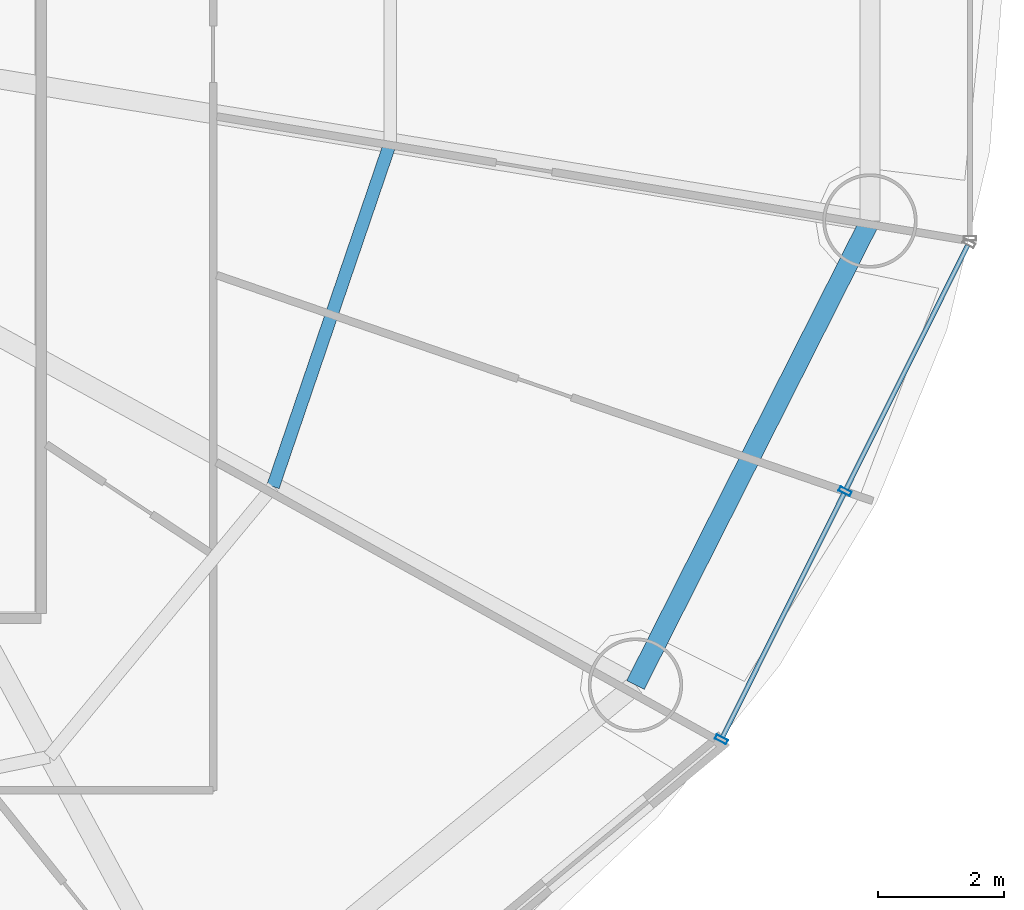
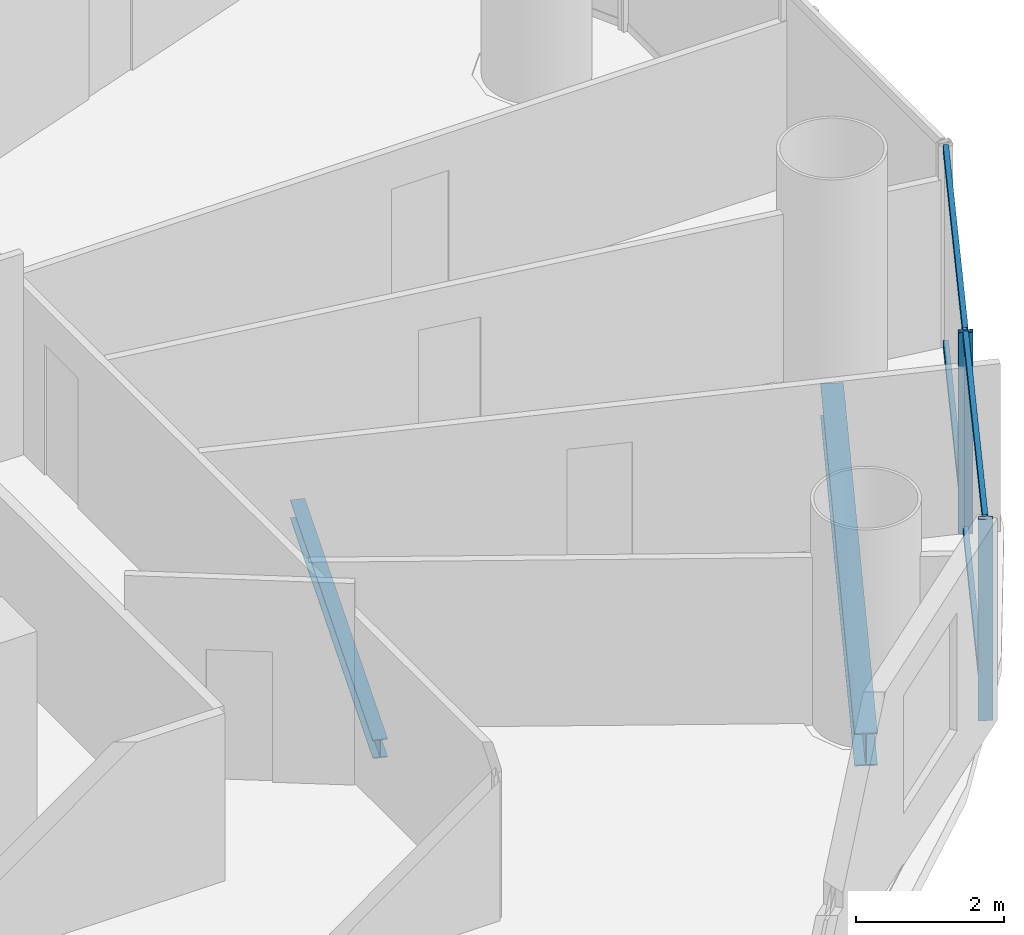
# One storey, part 13 of 29: 6 members, 2 beams, 1 element without a shape of its own.
"""IFC4 building model written with IfcOpenShell, lengths in metres."""

from ifc_helpers import new_model, si_unit, direction, frame, origin, origin_2d, place, context, subcontext, project, spatial, hollow_rectangle, i_section, extrude, source, transform, mapped, material, material_profile, profile_set, type_object, element, aggregate, save


model = new_model("IFC4")

# Units and contexts
model_context = context("Model", 3, precision=1e-05, world=origin(), true_north=direction((-0.2419218956, 0.970295726276)))
body_context = subcontext(model_context, "Body", "Model", "MODEL_VIEW")
ifc_project = project(units=[si_unit("LENGTHUNIT", "METRE"), si_unit("AREAUNIT", "SQUARE_METRE"), si_unit("VOLUMEUNIT", "CUBIC_METRE"), si_unit("PLANEANGLEUNIT", "RADIAN"), si_unit("MASSUNIT", "GRAM", prefix="KILO")], contexts=[model_context])

# Site, building, storey
site_placement = place(None, origin())
site = spatial("IfcSite", under=ifc_project, at=site_placement, CompositionType="ELEMENT")
building_placement = place(site_placement, origin())
building = spatial("IfcBuilding", under=site, at=building_placement, Name="Cobrevalo Terracotta Tower", CompositionType="ELEMENT")
storey_placement = place(building_placement, frame((0.0, 0.0, 112.199951171875)))
storey = spatial("IfcBuildingStorey", under=building, at=storey_placement, Name="L29", CompositionType="ELEMENT", Elevation=112.199951171875)

# Beams
ifc_material_1 = material(Name="Steel S355", Category="steel")
ifc_material_profile_1 = material_profile(ifc_material_1, i_section(OverallWidth=0.2041015625, OverallDepth=0.305908203125, WebThickness=0.008544921875, FlangeThickness=0.0146484375, at=origin_2d()), Name="W 310x67")
ifc_profile_set_1 = profile_set([ifc_material_profile_1], Name="Steel S355")
beam_type_1 = type_object("IfcBeamType", Name="Structural Joist W 310x67 (Steel S355)", PredefinedType="JOIST", material=ifc_profile_set_1)
beam_1_placement = place(storey_placement, frame((52.987548828125, 18.591796875, -0.427978515625), z_axis=(0.322846227919, 0.946451431991, 0.0), x_axis=(-0.946451431991, 0.322846227919, 0.0)))
element("IfcBeam", 1, at=beam_1_placement, inside=storey, type_object=beam_type_1, Name="L29 circumferential secondary floor joist 15", PredefinedType="JOIST", context=body_context, shape_type="SweptSolid", body=[
    extrude(i_section(OverallWidth=0.2041015625, OverallDepth=0.305908203125, WebThickness=0.008544921875, FlangeThickness=0.0146484375, at=origin_2d()), origin(), (0.0, 0.0, 1.0), 5.77001953125),
])
ifc_material_profile_2 = material_profile(ifc_material_1, i_section(OverallWidth=0.31201171875, OverallDepth=0.54296875, WebThickness=0.0126953125, FlangeThickness=0.020263671875, at=origin_2d()), Name="W 530x150")
ifc_profile_set_2 = profile_set([ifc_material_profile_2], Name="Steel S355")
beam_type_2 = type_object("IfcBeamType", Name="Structural Spandrel W 530x150 (Steel S355)", PredefinedType="SPANDREL", material=ifc_profile_set_2)
beam_2_placement = place(storey_placement, frame((58.7451171875, 15.4384765625, -0.54638671875), z_axis=(0.451051982172, 0.892497680321, 0.0), x_axis=(-0.892497680321, 0.451051982172, 0.0)))
element("IfcBeam", 2, at=beam_2_placement, inside=storey, type_object=beam_type_2, Name="L29 perimeter ring spandrel 15", PredefinedType="SPANDREL", context=body_context, shape_type="SweptSolid", body=[
    extrude(i_section(OverallWidth=0.31201171875, OverallDepth=0.54296875, WebThickness=0.0126953125, FlangeThickness=0.020263671875, at=origin_2d()), origin(), (0.0, 0.0, 1.0), 8.259765625),
])

# Curtain wall, members
ifc_material_2 = material(Name="Anodized aluminium", Category="aluminium")
curtain_wall_type = type_object("IfcCurtainWallType", Name="Lower-tower unitised acoustic low-E curtain wall CW-U1", PredefinedType="NOTDEFINED", material=ifc_material_2)
curtain_wall_placement = place(storey_placement, origin())
curtain_wall = element("IfcCurtainWall", 3, at=curtain_wall_placement, inside=storey, type_object=curtain_wall_type, Name="L29 curtain wall CW-L29-S15", PredefinedType="NOTDEFINED")
ifc_material_profile_3 = material_profile(ifc_material_2, hollow_rectangle(XDim=0.074951171875, YDim=0.199951171875, WallThickness=0.0048828125, at=origin_2d()), Name="CWM 75x200")
ifc_profile_set_3 = profile_set([ifc_material_profile_3], Name="Anodized aluminium")
member_type_1 = type_object("IfcMemberType", Name="Lower/mid tower unitised mullion 75x200", PredefinedType="MULLION", material=ifc_profile_set_3)
shared_shape_1 = source(origin(), body_context, "Body", "SweptSolid", [
    extrude(hollow_rectangle(XDim=0.074951171875, YDim=0.199951171875, WallThickness=0.0048828125, at=origin_2d()), origin(), (0.0, 0.0, 1.0), 3.324951171875),
])
member_1_placement = place(storey_placement, frame((60.110107421875, 14.574462890625, 0.0), z_axis=(0.0, 0.0, 1.0), x_axis=(0.446260290227, 0.894903208937, 0.0)))
member_1 = element("IfcMember", 4, at=member_1_placement, type_object=member_type_1, Name="CW-L29-S15 vertical mullion 01", PredefinedType="MULLION", context=body_context, shape_type="MappedRepresentation", body=[
    mapped(shared_shape_1, transform((0.0, 0.0, 0.0), scale=1.0)),
])
member_2_placement = place(storey_placement, frame((62.075927734375, 18.516357421875, 0.0), z_axis=(0.0, 0.0, 1.0), x_axis=(0.446260290227, 0.894903208937, 0.0)))
member_2 = element("IfcMember", 5, at=member_2_placement, type_object=member_type_1, Name="CW-L29-S15 vertical mullion 02", PredefinedType="MULLION", context=body_context, shape_type="MappedRepresentation", body=[
    mapped(shared_shape_1, transform((0.0, 0.0, 0.0), scale=1.0)),
])
ifc_material_profile_4 = material_profile(ifc_material_2, hollow_rectangle(XDim=0.074951171875, YDim=0.14990234375, WallThickness=0.00439453125, at=origin_2d()), Name="CWT 75x150")
ifc_profile_set_4 = profile_set([ifc_material_profile_4], Name="Anodized aluminium")
member_type_2 = type_object("IfcMemberType", Name="Tower unitised aluminium transom 75x150", PredefinedType="USERDEFINED", material=ifc_profile_set_4)
shared_shape_2 = source(origin(), body_context, "Body", "SweptSolid", [
    extrude(hollow_rectangle(XDim=0.074951171875, YDim=0.14990234375, WallThickness=0.00439453125, at=origin_2d()), origin(), (0.0, 0.0, 1.0), 4.324951171875),
])
member_3_placement = place(storey_placement, frame((60.1279296875, 14.610107421875, 0.050048828125), z_axis=(0.446219838389, 0.894923379864, 0.0), x_axis=(-0.894923379864, 0.446219838389, 0.0)))
member_3 = element("IfcMember", 6, at=member_3_placement, type_object=member_type_2, Name="CW-L29-S15 transom B01-T1", ObjectType="TRANSOM", PredefinedType="USERDEFINED", context=body_context, shape_type="MappedRepresentation", body=[
    mapped(shared_shape_2, transform((0.0, 0.0, 0.0), scale=1.0)),
])
member_4_placement = place(storey_placement, frame((60.1279296875, 14.610107421875, 3.275146484375), z_axis=(0.446219838389, 0.894923379864, 0.0), x_axis=(-0.894923379864, 0.446219838389, 0.0)))
member_4 = element("IfcMember", 7, at=member_4_placement, type_object=member_type_2, Name="CW-L29-S15 transom B01-T2", ObjectType="TRANSOM", PredefinedType="USERDEFINED", context=body_context, shape_type="MappedRepresentation", body=[
    mapped(shared_shape_2, transform((0.0, 0.0, 0.0), scale=1.0)),
])
member_5_placement = place(storey_placement, frame((62.09375, 18.55224609375, 0.050048828125), z_axis=(0.446219838389, 0.894923379864, 0.0), x_axis=(-0.894923379864, 0.446219838389, 0.0)))
member_5 = element("IfcMember", 8, at=member_5_placement, type_object=member_type_2, Name="CW-L29-S15 transom B02-T1", ObjectType="TRANSOM", PredefinedType="USERDEFINED", context=body_context, shape_type="MappedRepresentation", body=[
    mapped(shared_shape_2, transform((0.0, 0.0, 0.0), scale=1.0)),
])
member_6_placement = place(storey_placement, frame((62.09375, 18.55224609375, 3.275146484375), z_axis=(0.446219838389, 0.894923379864, 0.0), x_axis=(-0.894923379864, 0.446219838389, 0.0)))
member_6 = element("IfcMember", 9, at=member_6_placement, type_object=member_type_2, Name="CW-L29-S15 transom B02-T2", ObjectType="TRANSOM", PredefinedType="USERDEFINED", context=body_context, shape_type="MappedRepresentation", body=[
    mapped(shared_shape_2, transform((0.0, 0.0, 0.0), scale=1.0)),
])
aggregate(curtain_wall, [member_1, member_2, member_3, member_4, member_5, member_6])

save(model, "model.ifc")
